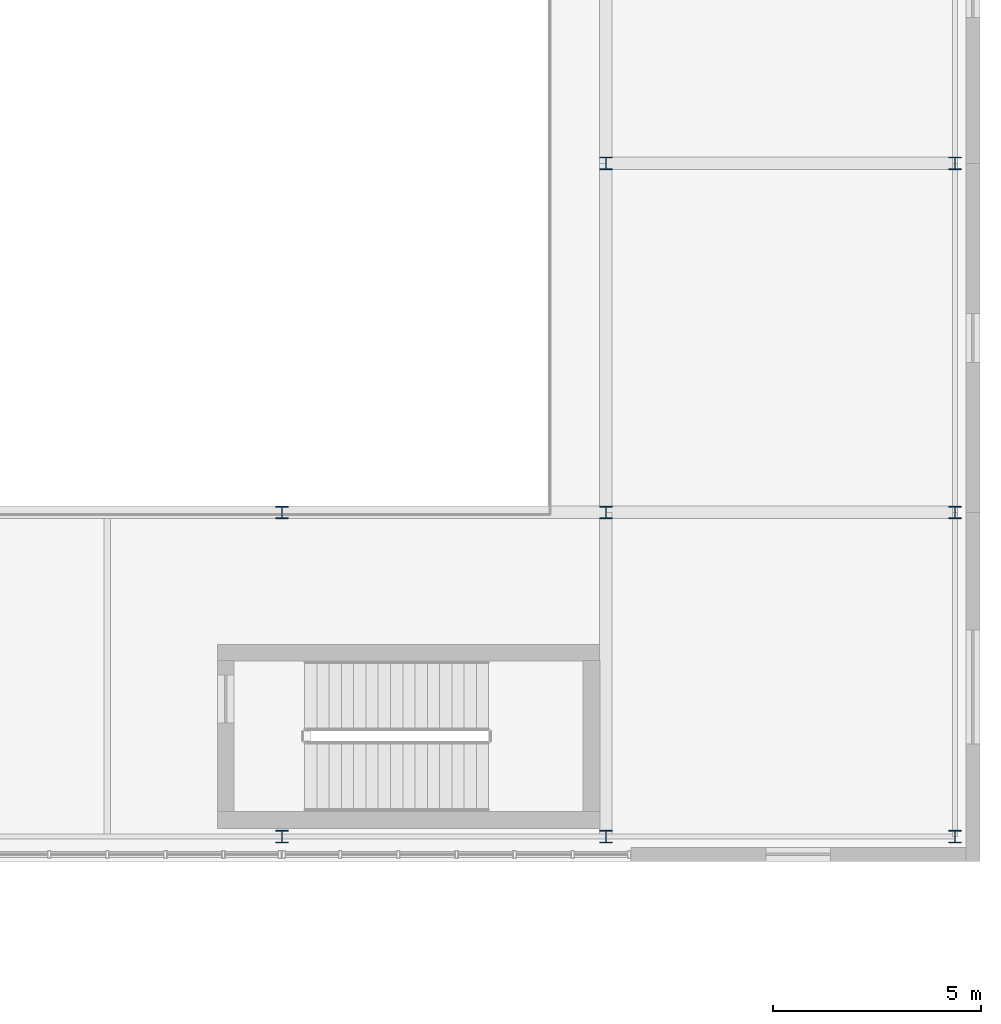
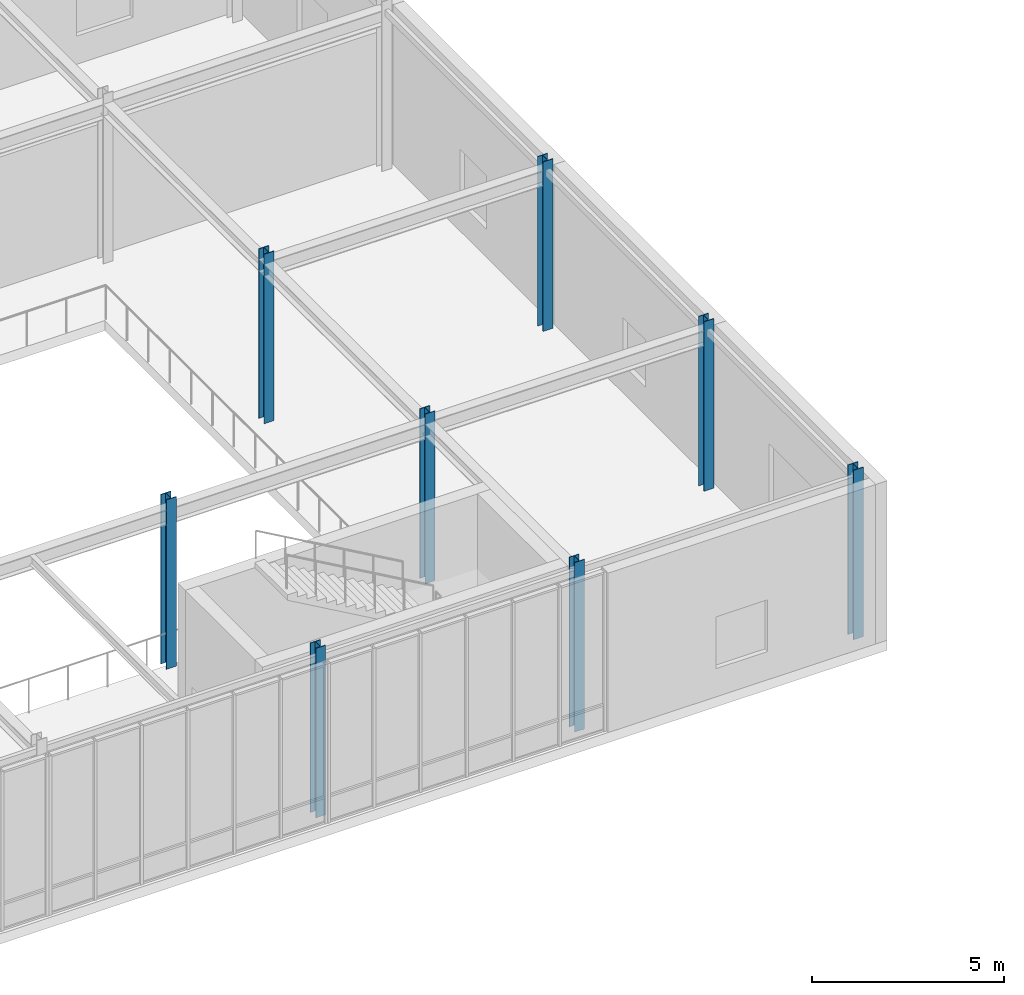
# One storey, part 9 of 139: 8 columns.
"""IFC4 building model written with IfcOpenShell, lengths in metres."""

from ifc_helpers import new_model, si_unit, direction, frame, origin, origin_2d, place, context, subcontext, project, spatial, i_section, extrude, material, material_profile, profile_set, type_object, element, save


model = new_model("IFC4")

# Units and contexts
model_context = context("Model", 3, precision=1e-05, world=origin(), true_north=direction((0.0, 1.0)))
body_context = subcontext(model_context, "Body", "Model", "MODEL_VIEW")
ifc_project = project(units=[si_unit("LENGTHUNIT", "METRE"), si_unit("AREAUNIT", "SQUARE_METRE"), si_unit("VOLUMEUNIT", "CUBIC_METRE"), si_unit("PLANEANGLEUNIT", "RADIAN"), si_unit("MASSUNIT", "GRAM", prefix="KILO")], contexts=[model_context])

# Site, building, storey
site_placement = place(None, origin())
site = spatial("IfcSite", under=ifc_project, at=site_placement, CompositionType="ELEMENT")
building_placement = place(site_placement, origin())
building = spatial("IfcBuilding", under=site, at=building_placement, Name="Zayran Congress Hotel", CompositionType="ELEMENT")
storey_placement = place(building_placement, frame((0.0, 0.0, 5.39990234375)))
storey = spatial("IfcBuildingStorey", under=building, at=storey_placement, Name="L01", CompositionType="ELEMENT", Elevation=5.39990234375)

# Columns
ifc_material = material(Name="Steel S355", Category="steel")
ifc_material_profile = material_profile(ifc_material, i_section(OverallWidth=0.300048828125, OverallDepth=0.300048828125, WebThickness=0.010986328125, FlangeThickness=0.01904296875, at=origin_2d()), Name="HEB 300")
ifc_profile_set = profile_set([ifc_material_profile], Name="Steel S355")
column_type = type_object("IfcColumnType", Name="TP-CL-08", PredefinedType="COLUMN", material=ifc_profile_set)
for number, where, z_axis, x_axis, name in (
    (1, (176.39990234375, 85.0, 0.0), (0.0, 0.0, 1.0), (1.0, 0.0, 0.0), "COL-V2-L01-0571"),
    (2, (176.39990234375, 92.800048828125, 0.0), (0.0, 0.0, 1.0), (1.0, 0.0, 0.0), "COL-V2-L01-0572"),
    (3, (184.199951171875, 85.0, 0.0), (0.0, 0.0, 1.0), (1.0, 0.0, 0.0), "COL-V2-L01-0575"),
    (4, (184.199951171875, 92.800048828125, 0.0), (0.0, 0.0, 1.0), (1.0, 0.0, 0.0), "COL-V2-L01-0576"),
    (5, (184.199951171875, 101.199951171875, 0.0), (0.0, 0.0, 1.0), (1.0, 0.0, 0.0), "COL-V2-L01-0577"),
    (6, (192.60009765625, 85.0, 0.0), (0.0, 0.0, 1.0), (1.0, 0.0, 0.0), "COL-V2-L01-0580"),
    (7, (192.60009765625, 92.800048828125, 0.0), (0.0, 0.0, 1.0), (1.0, 0.0, 0.0), "COL-V2-L01-0581"),
    (8, (192.60009765625, 101.199951171875, 0.0), (0.0, 0.0, 1.0), (1.0, 0.0, 0.0), "COL-V2-L01-0582"),
):
    element("IfcColumn", number, at=place(storey_placement, frame(where, z_axis=z_axis, x_axis=x_axis)), inside=storey, type_object=column_type, Name=name, PredefinedType="COLUMN", context=body_context, shape_type="SweptSolid", body=[
        extrude(i_section(OverallWidth=0.300048828125, OverallDepth=0.300048828125, WebThickness=0.010986328125, FlangeThickness=0.01904296875, at=origin_2d()), origin(), (0.0, 0.0, 1.0), 5.400146484375),
    ])

save(model, "model.ifc")
